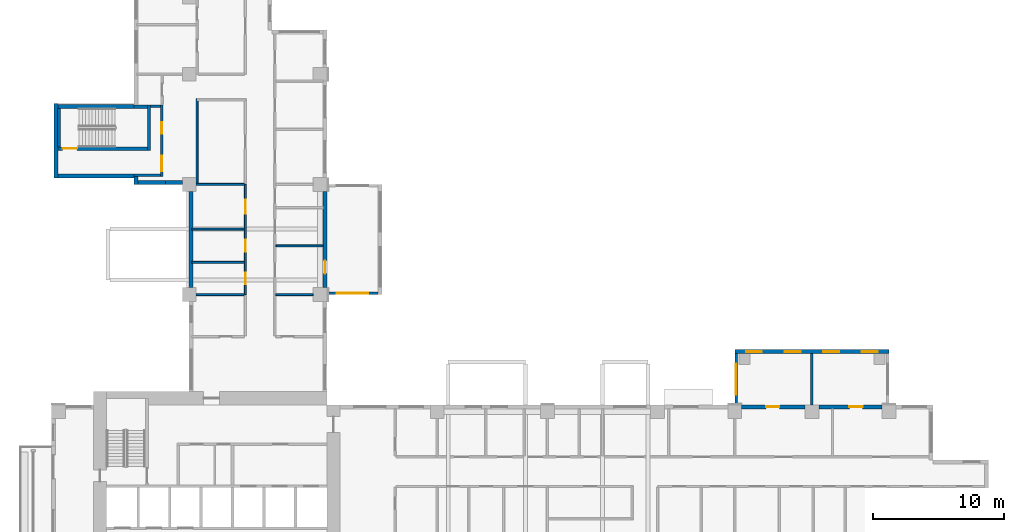
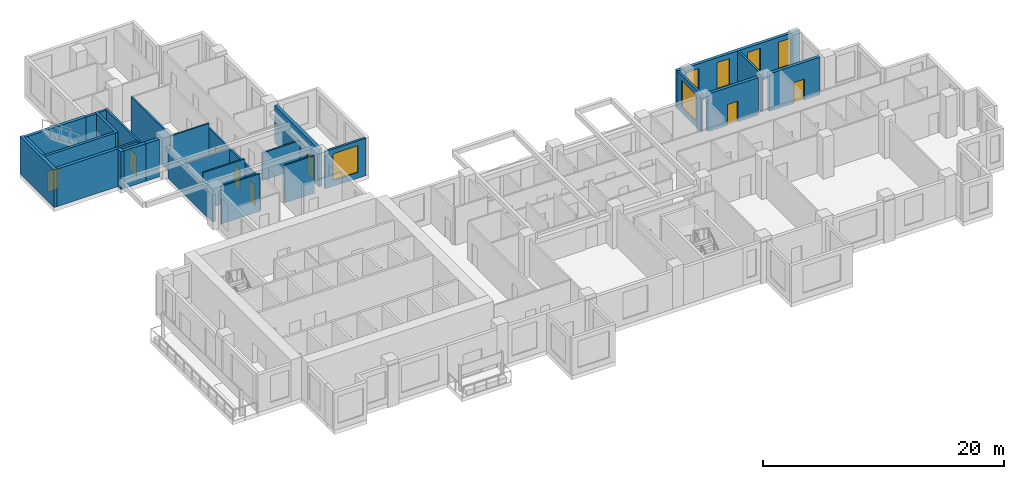
# One storey, part 6 of 14: 29 walls, 9 doors, 6 windows, 15 openings.
"""IFC4 building model written with IfcOpenShell, lengths in metres."""

from ifc_helpers import new_model, si_unit, direction, frame, frame_2d, origin, place, context, subcontext, project, spatial, rectangle, extrude, source, transform, mapped, material, layer, layer_set, type_object, element, fill, save


model = new_model("IFC4")

# Units and contexts
model_context = context("Model", 3, precision=1e-05, world=origin(), true_north=direction((0.0, 1.0)))
body_context = subcontext(model_context, "Body", "Model", "MODEL_VIEW")
ifc_project = project(units=[si_unit("LENGTHUNIT", "METRE"), si_unit("AREAUNIT", "SQUARE_METRE"), si_unit("VOLUMEUNIT", "CUBIC_METRE"), si_unit("PLANEANGLEUNIT", "RADIAN"), si_unit("MASSUNIT", "GRAM", prefix="KILO")], contexts=[model_context])

# Site, building, storey
site_placement = place(None, origin())
site = spatial("IfcSite", under=ifc_project, at=site_placement, CompositionType="ELEMENT")
building_placement = place(site_placement, origin())
building = spatial("IfcBuilding", under=site, at=building_placement, Name="Aurelian Terraces", CompositionType="ELEMENT")
storey_placement = place(building_placement, frame((0.0, 0.0, 132.9)))
storey = spatial("IfcBuildingStorey", under=building, at=storey_placement, Name="L29", CompositionType="ELEMENT", Elevation=132.9)

# Wall
ifc_material_1 = material(Name="Gypsum board on steel studs", Category="steel")
ifc_layer_1 = layer(ifc_material_1, 0.15)
ifc_layer_set_1 = layer_set([ifc_layer_1], Name="Partition 150")
wall_type_1 = type_object("IfcWallType", Name="Partition 150", PredefinedType="PARTITIONING", material=ifc_layer_set_1)
wall_1_placement = place(storey_placement, frame((14.7, 34.3912, 0.0), z_axis=(0.0, 0.0, 1.0), x_axis=(-1.0, 0.0, 0.0)))
element("IfcWall", 1, at=wall_1_placement, inside=storey, type_object=wall_type_1, Name="Partition", PredefinedType="PARTITIONING", context=body_context, shape_type="SweptSolid", body=[
    extrude(rectangle(XDim=3.995, YDim=0.15, at=frame_2d((1.9975, 0.0))), origin(), (0.0, 0.0, 1.0), 3.3),
])

# Wall, opening, window
ifc_material_2 = material(Name="Concrete fc' 40 MPa", Category="concrete")
ifc_layer_2 = layer(ifc_material_2, 0.2)
ifc_layer_set_2 = layer_set([ifc_layer_2], Name="BOX BEARING WALL 200")
wall_type_2 = type_object("IfcWallType", Name="BOX BEARING WALL 200", PredefinedType="SOLIDWALL", material=ifc_layer_set_2)
shared_shape_1 = source(origin(), body_context, "Body", "SweptSolid", [
    extrude(rectangle(XDim=3.9, YDim=0.2, at=frame_2d((1.95, 0.0))), origin(), (0.0, 0.0, 1.0), 3.79),
])
wall_2_placement = place(storey_placement, frame((52.18, 21.0, 0.0), z_axis=(0.0, 0.0, 1.0), x_axis=(0.0, 1.0, 0.0)))
wall_2 = element("IfcWall", 2, at=wall_2_placement, inside=storey, type_object=wall_type_2, Name="Box return L29 K02.2", PredefinedType="SOLIDWALL", context=body_context, shape_type="MappedRepresentation", body=[
    mapped(shared_shape_1, transform((0.0, 0.0, 0.0), scale=1.0)),
])
shared_shape_2 = source(origin(), body_context, "Body", "SweptSolid", [
    extrude(rectangle(XDim=2.4, YDim=2.7, at=frame_2d((1.2, 1.35))), frame((0.0, 0.11, 0.0), z_axis=(0.0, -1.0, 0.0), x_axis=(1.0, 0.0, 0.0)), (0.0, 0.0, 1.0), 0.22),
])
opening_1_placement = place(wall_2_placement, frame((0.75, 0.0, 0.6)))
opening_1 = element("IfcOpeningElement", 3, at=opening_1_placement, cuts=wall_2, Name="Opening W2427", PredefinedType="OPENING", context=body_context, shape_type="MappedRepresentation", body=[
    mapped(shared_shape_2, transform((0.0, 0.0, 0.0), scale=1.0)),
])
ifc_material_3 = material(Name="Clear glazing", Category="glass")
window_type_1 = type_object("IfcWindowType", Name="W-2400x2700", PartitioningType="SINGLE_PANEL", PredefinedType="WINDOW", material=ifc_material_3)
shared_shape_3 = source(origin(), body_context, "Body", "SweptSolid", [
    extrude(rectangle(XDim=2.4, YDim=2.7, at=frame_2d((1.2, 1.35))), frame((0.0, 0.03, 0.0), z_axis=(0.0, -1.0, 0.0), x_axis=(1.0, 0.0, 0.0)), (0.0, 0.0, 1.0), 0.06),
])
window_1_placement = place(opening_1_placement, origin())
window_1 = element("IfcWindow", 4, at=window_1_placement, inside=storey, type_object=window_type_1, Name="Window L29 K02-S2", OverallHeight=2.7, OverallWidth=2.4, PartitioningType="SINGLE_PANEL", PredefinedType="WINDOW", context=body_context, shape_type="MappedRepresentation", body=[
    mapped(shared_shape_3, transform((0.0, 0.0, 0.0), scale=1.0)),
])
fill(opening_1, window_1)

wall_3_placement = place(storey_placement, frame((21.0, 29.5, 0.0), z_axis=(0.0, 0.0, 1.0), x_axis=(1.0, 0.0, 0.0)))
wall_3 = element("IfcWall", 5, at=wall_3_placement, inside=storey, type_object=wall_type_2, Name="Box return L29 J41.1", PredefinedType="SOLIDWALL", context=body_context, shape_type="MappedRepresentation", body=[
    mapped(shared_shape_1, transform((0.0, 0.0, 0.0), scale=1.0)),
])
opening_2_placement = place(wall_3_placement, frame((0.75, 0.0, 0.6)))
opening_2 = element("IfcOpeningElement", 6, at=opening_2_placement, cuts=wall_3, Name="Opening W2427", PredefinedType="OPENING", context=body_context, shape_type="MappedRepresentation", body=[
    mapped(shared_shape_2, transform((0.0, 0.0, 0.0), scale=1.0)),
])
window_2_placement = place(opening_2_placement, origin())
window_2 = element("IfcWindow", 7, at=window_2_placement, inside=storey, type_object=window_type_1, Name="Window L29 J41-S1", OverallHeight=2.7, OverallWidth=2.4, PartitioningType="SINGLE_PANEL", PredefinedType="WINDOW", context=body_context, shape_type="MappedRepresentation", body=[
    mapped(shared_shape_3, transform((0.0, 0.0, 0.0), scale=1.0)),
])
fill(opening_2, window_2)

# Wall, openings, windows
ifc_layer_3 = layer(ifc_material_2, 0.3)
ifc_layer_set_3 = layer_set([ifc_layer_3], Name="BOX BEARING WALL 300")
wall_type_3 = type_object("IfcWallType", Name="BOX BEARING WALL 300", PredefinedType="SOLIDWALL", material=ifc_layer_set_3)
shared_shape_4 = source(origin(), body_context, "Body", "SweptSolid", [
    extrude(rectangle(XDim=11.76, YDim=0.3, at=frame_2d((5.88, 0.0))), origin(), (0.0, 0.0, 1.0), 3.79),
])
wall_4_placement = place(storey_placement, frame((63.84, 25.05, 0.0), z_axis=(0.0, 0.0, 1.0), x_axis=(-1.0, 0.0, 0.0)))
wall_4 = element("IfcWall", 8, at=wall_4_placement, inside=storey, type_object=wall_type_3, Name="Box wall L29 K02", PredefinedType="SOLIDWALL", context=body_context, shape_type="MappedRepresentation", body=[
    mapped(shared_shape_4, transform((0.0, 0.0, 0.0), scale=1.0)),
])
shared_shape_5 = source(origin(), body_context, "Body", "SweptSolid", [
    extrude(rectangle(XDim=1.2, YDim=2.7, at=frame_2d((0.6, 1.35))), frame((0.0, 0.16, 0.0), z_axis=(0.0, -1.0, 0.0), x_axis=(1.0, 0.0, 0.0)), (0.0, 0.0, 1.0), 0.32),
])
opening_3_placement = place(wall_4_placement, frame((0.87, 0.0, 0.6)))
opening_3 = element("IfcOpeningElement", 9, at=opening_3_placement, cuts=wall_4, Name="Opening W1227", PredefinedType="OPENING", context=body_context, shape_type="MappedRepresentation", body=[
    mapped(shared_shape_5, transform((0.0, 0.0, 0.0), scale=1.0)),
])
opening_4_placement = place(wall_4_placement, frame((3.81, 0.0, 0.6)))
opening_4 = element("IfcOpeningElement", 10, at=opening_4_placement, cuts=wall_4, Name="Opening W1227", PredefinedType="OPENING", context=body_context, shape_type="MappedRepresentation", body=[
    mapped(shared_shape_5, transform((0.0, 0.0, 0.0), scale=1.0)),
])
opening_5_placement = place(wall_4_placement, frame((6.75, 0.0, 0.6)))
opening_5 = element("IfcOpeningElement", 11, at=opening_5_placement, cuts=wall_4, Name="Opening W1227", PredefinedType="OPENING", context=body_context, shape_type="MappedRepresentation", body=[
    mapped(shared_shape_5, transform((0.0, 0.0, 0.0), scale=1.0)),
])
opening_6_placement = place(wall_4_placement, frame((9.69, 0.0, 0.6)))
opening_6 = element("IfcOpeningElement", 12, at=opening_6_placement, cuts=wall_4, Name="Opening W1227", PredefinedType="OPENING", context=body_context, shape_type="MappedRepresentation", body=[
    mapped(shared_shape_5, transform((0.0, 0.0, 0.0), scale=1.0)),
])
window_type_2 = type_object("IfcWindowType", Name="W-1200x2700", PartitioningType="SINGLE_PANEL", PredefinedType="WINDOW", material=ifc_material_3)
shared_shape_6 = source(origin(), body_context, "Body", "SweptSolid", [
    extrude(rectangle(XDim=1.2, YDim=2.7, at=frame_2d((0.6, 1.35))), frame((0.0, 0.03, 0.0), z_axis=(0.0, -1.0, 0.0), x_axis=(1.0, 0.0, 0.0)), (0.0, 0.0, 1.0), 0.06),
])
window_3_placement = place(opening_3_placement, origin())
window_3 = element("IfcWindow", 13, at=window_3_placement, inside=storey, type_object=window_type_2, Name="Window L29 K02-F1", OverallHeight=2.7, OverallWidth=1.2, PartitioningType="SINGLE_PANEL", PredefinedType="WINDOW", context=body_context, shape_type="MappedRepresentation", body=[
    mapped(shared_shape_6, transform((0.0, 0.0, 0.0), scale=1.0)),
])
fill(opening_3, window_3)
window_4_placement = place(opening_4_placement, origin())
window_4 = element("IfcWindow", 14, at=window_4_placement, inside=storey, type_object=window_type_2, Name="Window L29 K02-F2", OverallHeight=2.7, OverallWidth=1.2, PartitioningType="SINGLE_PANEL", PredefinedType="WINDOW", context=body_context, shape_type="MappedRepresentation", body=[
    mapped(shared_shape_6, transform((0.0, 0.0, 0.0), scale=1.0)),
])
fill(opening_4, window_4)
window_5_placement = place(opening_5_placement, origin())
window_5 = element("IfcWindow", 15, at=window_5_placement, inside=storey, type_object=window_type_2, Name="Window L29 K02-F3", OverallHeight=2.7, OverallWidth=1.2, PartitioningType="SINGLE_PANEL", PredefinedType="WINDOW", context=body_context, shape_type="MappedRepresentation", body=[
    mapped(shared_shape_6, transform((0.0, 0.0, 0.0), scale=1.0)),
])
fill(opening_5, window_5)
window_6_placement = place(opening_6_placement, origin())
window_6 = element("IfcWindow", 16, at=window_6_placement, inside=storey, type_object=window_type_2, Name="Window L29 K02-F4", OverallHeight=2.7, OverallWidth=1.2, PartitioningType="SINGLE_PANEL", PredefinedType="WINDOW", context=body_context, shape_type="MappedRepresentation", body=[
    mapped(shared_shape_6, transform((0.0, 0.0, 0.0), scale=1.0)),
])
fill(opening_6, window_6)

# Wall
shared_shape_7 = source(origin(), body_context, "Body", "SweptSolid", [
    extrude(rectangle(XDim=3.9, YDim=0.2, at=frame_2d((1.95, 0.0))), origin(), (0.0, 0.0, 1.0), 3.79),
])
wall_5_placement = place(storey_placement, frame((57.96, 21.0, 0.0), z_axis=(0.0, 0.0, 1.0), x_axis=(0.0, 1.0, 0.0)))
element("IfcWall", 17, at=wall_5_placement, inside=storey, type_object=wall_type_2, Name="Box partition L29 K02", PredefinedType="SOLIDWALL", context=body_context, shape_type="MappedRepresentation", body=[
    mapped(shared_shape_7, transform((0.0, 0.0, 0.0), scale=1.0)),
])

# Wall, opening, door
ifc_material_4 = material(Name="Terracotta rainscreen cladding", Category="masonry")
ifc_layer_4 = layer(ifc_material_4, 0.3)
ifc_layer_set_4 = layer_set([ifc_layer_4], Name="EW-300")
wall_type_4 = type_object("IfcWallType", Name="EW-300", PredefinedType="STANDARD", material=ifc_layer_set_4)
shared_shape_8 = source(origin(), body_context, "Body", "SweptSolid", [
    extrude(rectangle(XDim=7.35, YDim=0.3, at=frame_2d((3.675, 0.0))), origin(), (0.0, 0.0, 1.0), 3.8),
])
wall_6_placement = place(storey_placement, frame((20.85, 29.925, 0.0), z_axis=(0.0, 0.0, 1.0), x_axis=(0.0, 1.0, 0.0)))
wall_6 = element("IfcWall", 18, at=wall_6_placement, inside=storey, type_object=wall_type_4, Name="External wall L29 F08.23", PredefinedType="STANDARD", context=body_context, shape_type="MappedRepresentation", body=[
    mapped(shared_shape_8, transform((0.0, 0.0, 0.0), scale=1.0)),
])
shared_shape_9 = source(origin(), body_context, "Body", "SweptSolid", [
    extrude(rectangle(XDim=1.0, YDim=2.1, at=frame_2d((0.5, 1.05))), frame((0.0, 0.16, 0.0), z_axis=(0.0, -1.0, 0.0), x_axis=(1.0, 0.0, 0.0)), (0.0, 0.0, 1.0), 0.32),
])
opening_7_placement = place(wall_6_placement, frame((1.075, 0.0, 0.0)))
opening_7 = element("IfcOpeningElement", 19, at=opening_7_placement, cuts=wall_6, Name="Opening 829003", PredefinedType="OPENING", context=body_context, shape_type="MappedRepresentation", body=[
    mapped(shared_shape_9, transform((0.0, 0.0, 0.0), scale=1.0)),
])
ifc_material_5 = material(Name="Timber door leaf", Category="wood")
door_type_1 = type_object("IfcDoorType", Name="Room door 1000x2100 left", OperationType="SINGLE_SWING_LEFT", PredefinedType="DOOR", material=ifc_material_5)
shared_shape_10 = source(origin(), body_context, "Body", "SweptSolid", [
    extrude(rectangle(XDim=1.0, YDim=2.1, at=frame_2d((0.5, 1.05))), frame((0.0, 0.025, 0.0), z_axis=(0.0, -1.0, 0.0), x_axis=(1.0, 0.0, 0.0)), (0.0, 0.0, 1.0), 0.05),
])
door_1_placement = place(opening_7_placement, origin())
door_1 = element("IfcDoor", 20, at=door_1_placement, inside=storey, type_object=door_type_1, Name="Door 829003", OperationType="SINGLE_SWING_LEFT", OverallHeight=2.1, OverallWidth=1.0, PredefinedType="DOOR", context=body_context, shape_type="MappedRepresentation", body=[
    mapped(shared_shape_10, transform((0.0, 0.0, 0.0), scale=1.0)),
])
fill(opening_7, door_1)

# Walls
ifc_layer_5 = layer(ifc_material_2, 0.3)
ifc_layer_set_5 = layer_set([ifc_layer_5], Name="STAIR BAY WALL 300")
wall_type_5 = type_object("IfcWallType", Name="STAIR BAY WALL 300", PredefinedType="SOLIDWALL", material=ifc_layer_set_5)
shared_shape_11 = source(origin(), body_context, "Body", "SweptSolid", [
    extrude(rectangle(XDim=6.1, YDim=0.3, at=frame_2d((3.05, 0.0))), origin(), (0.0, 0.0, 1.0), 3.8),
])
for number, where, z_axis, x_axis, name in (
    (21, (6.3, 43.75, 0.0), (0.0, 0.0, 1.0), (-1.0, 0.0, 0.0), "Stair bay wall L29 F13.31"),
    (22, (0.2, 38.45, 0.0), (0.0, 0.0, 1.0), (1.0, 0.0, 0.0), "Stair bay wall L29 F15.33"),
):
    element("IfcWall", number, at=place(storey_placement, frame(where, z_axis=z_axis, x_axis=x_axis)), inside=storey, type_object=wall_type_5, Name=name, PredefinedType="SOLIDWALL", context=body_context, shape_type="MappedRepresentation", body=[
        mapped(shared_shape_11, transform((0.0, 0.0, 0.0), scale=1.0)),
    ])

# Wall, opening, door
shared_shape_12 = source(origin(), body_context, "Body", "SweptSolid", [
    extrude(rectangle(XDim=4.83, YDim=0.3, at=frame_2d((2.415, 0.0))), origin(), (0.0, 0.0, 1.0), 3.8),
])
wall_7_placement = place(storey_placement, frame((63.315, 20.85, 0.0), z_axis=(0.0, 0.0, 1.0), x_axis=(-1.0, 0.0, 0.0)))
wall_7 = element("IfcWall", 23, at=wall_7_placement, inside=storey, type_object=wall_type_4, Name="External wall L29 F07.20", PredefinedType="STANDARD", context=body_context, shape_type="MappedRepresentation", body=[
    mapped(shared_shape_12, transform((0.0, 0.0, 0.0), scale=1.0)),
])
opening_8_placement = place(wall_7_placement, frame((1.495, 0.0, 0.0)))
opening_8 = element("IfcOpeningElement", 24, at=opening_8_placement, cuts=wall_7, Name="Opening 829004", PredefinedType="OPENING", context=body_context, shape_type="MappedRepresentation", body=[
    mapped(shared_shape_9, transform((0.0, 0.0, 0.0), scale=1.0)),
])
door_2_placement = place(opening_8_placement, origin())
door_2 = element("IfcDoor", 25, at=door_2_placement, inside=storey, type_object=door_type_1, Name="Door 829004", OperationType="SINGLE_SWING_LEFT", OverallHeight=2.1, OverallWidth=1.0, PredefinedType="DOOR", context=body_context, shape_type="MappedRepresentation", body=[
    mapped(shared_shape_10, transform((0.0, 0.0, 0.0), scale=1.0)),
])
fill(opening_8, door_2)

wall_8_placement = place(storey_placement, frame((57.435, 20.85, 0.0), z_axis=(0.0, 0.0, 1.0), x_axis=(-1.0, 0.0, 0.0)))
wall_8 = element("IfcWall", 26, at=wall_8_placement, inside=storey, type_object=wall_type_4, Name="External wall L29 F07.20", PredefinedType="STANDARD", context=body_context, shape_type="MappedRepresentation", body=[
    mapped(shared_shape_12, transform((0.0, 0.0, 0.0), scale=1.0)),
])
opening_9_placement = place(wall_8_placement, frame((1.9617, 0.0, 0.0)))
opening_9 = element("IfcOpeningElement", 27, at=opening_9_placement, cuts=wall_8, Name="Opening 829005", PredefinedType="OPENING", context=body_context, shape_type="MappedRepresentation", body=[
    mapped(shared_shape_9, transform((0.0, 0.0, 0.0), scale=1.0)),
])
door_3_placement = place(opening_9_placement, origin())
door_3 = element("IfcDoor", 28, at=door_3_placement, inside=storey, type_object=door_type_1, Name="Door 829005", OperationType="SINGLE_SWING_LEFT", OverallHeight=2.1, OverallWidth=1.0, PredefinedType="DOOR", context=body_context, shape_type="MappedRepresentation", body=[
    mapped(shared_shape_10, transform((0.0, 0.0, 0.0), scale=1.0)),
])
fill(opening_9, door_3)

# Walls
shared_shape_13 = source(origin(), body_context, "Body", "SweptSolid", [
    extrude(rectangle(XDim=5.65, YDim=0.3, at=frame_2d((2.825, 0.0))), origin(), (0.0, 0.0, 1.0), 3.8),
])
wall_9_placement = place(storey_placement, frame((0.35, 43.95, 0.0), z_axis=(0.0, 0.0, 1.0), x_axis=(0.0, -1.0, 0.0)))
element("IfcWall", 29, at=wall_9_placement, inside=storey, type_object=wall_type_5, Name="Stair bay wall L29 F14.32", PredefinedType="SOLIDWALL", context=body_context, shape_type="MappedRepresentation", body=[
    mapped(shared_shape_13, transform((0.0, 0.0, 0.0), scale=1.0)),
])
shared_shape_14 = source(origin(), body_context, "Body", "SweptSolid", [
    extrude(rectangle(XDim=0.6, YDim=0.3, at=frame_2d((0.3, 0.0))), origin(), (0.0, 0.0, 1.0), 3.8),
])
wall_10_placement = place(storey_placement, frame((6.45, 38.4, 0.0), z_axis=(0.0, 0.0, 1.0), x_axis=(0.0, -1.0, 0.0)))
element("IfcWall", 30, at=wall_10_placement, inside=storey, type_object=wall_type_4, Name="External wall L29 F16.34", PredefinedType="STANDARD", context=body_context, shape_type="MappedRepresentation", body=[
    mapped(shared_shape_14, transform((0.0, 0.0, 0.0), scale=1.0)),
])
shared_shape_15 = source(origin(), body_context, "Body", "SweptSolid", [
    extrude(rectangle(XDim=2.1, YDim=0.3, at=frame_2d((1.05, 0.0))), origin(), (0.0, 0.0, 1.0), 3.8),
])
wall_11_placement = place(storey_placement, frame((6.6, 37.95, 0.0), z_axis=(0.0, 0.0, 1.0), x_axis=(1.0, 0.0, 0.0)))
element("IfcWall", 31, at=wall_11_placement, inside=storey, type_object=wall_type_5, Name="Stair bay wall L29 F17.35", PredefinedType="SOLIDWALL", context=body_context, shape_type="MappedRepresentation", body=[
    mapped(shared_shape_15, transform((0.0, 0.0, 0.0), scale=1.0)),
])
shared_shape_16 = source(origin(), body_context, "Body", "SweptSolid", [
    extrude(rectangle(XDim=1.275, YDim=0.3, at=frame_2d((0.6375, 0.0))), origin(), (0.0, 0.0, 1.0), 3.8),
])
wall_12_placement = place(storey_placement, frame((8.7, 37.95, 0.0), z_axis=(0.0, 0.0, 1.0), x_axis=(1.0, 0.0, 0.0)))
element("IfcWall", 32, at=wall_12_placement, inside=storey, type_object=wall_type_4, Name="External wall L29 F17.35", PredefinedType="STANDARD", context=body_context, shape_type="MappedRepresentation", body=[
    mapped(shared_shape_16, transform((0.0, 0.0, 0.0), scale=1.0)),
])
shared_shape_17 = source(origin(), body_context, "Body", "SweptSolid", [
    extrude(rectangle(XDim=7.35, YDim=0.3, at=frame_2d((3.675, 0.0))), origin(), (0.0, 0.0, 1.0), 2.8),
])
wall_13_placement = place(storey_placement, frame((10.65, 37.275, 0.0), z_axis=(0.0, 0.0, 1.0), x_axis=(0.0, -1.0, 0.0)))
element("IfcWall", 33, at=wall_13_placement, inside=storey, type_object=wall_type_4, Name="External wall L29 F18.36", PredefinedType="STANDARD", context=body_context, shape_type="MappedRepresentation", body=[
    mapped(shared_shape_17, transform((0.0, 0.0, 0.0), scale=1.0)),
])

# Wall, opening, door
ifc_layer_6 = layer(ifc_material_2, 0.25)
ifc_layer_set_6 = layer_set([ifc_layer_6], Name="Stair enclosure wall 250")
wall_type_6 = type_object("IfcWallType", Name="Stair enclosure wall 250", PredefinedType="SOLIDWALL", material=ifc_layer_set_6)
shared_shape_18 = source(origin(), body_context, "Body", "SweptSolid", [
    extrude(rectangle(XDim=7.0, YDim=0.25, at=frame_2d((3.5, 0.0))), origin(), (0.0, 0.0, 1.0), 3.8),
])
wall_14_placement = place(storey_placement, frame((0.3, 40.525, 0.0), z_axis=(0.0, 0.0, 1.0), x_axis=(1.0, 0.0, 0.0)))
wall_14 = element("IfcWall", 34, at=wall_14_placement, inside=storey, type_object=wall_type_6, Name="L29 core wall ST-S3-W", PredefinedType="SOLIDWALL", context=body_context, shape_type="MappedRepresentation", body=[
    mapped(shared_shape_18, transform((0.0, 0.0, 0.0), scale=1.0)),
])
shared_shape_19 = source(origin(), body_context, "Body", "SweptSolid", [
    extrude(rectangle(XDim=1.1, YDim=2.1, at=frame_2d((0.55, 1.05))), frame((0.0, 0.135, 0.0), z_axis=(0.0, -1.0, 0.0), x_axis=(1.0, 0.0, 0.0)), (0.0, 0.0, 1.0), 0.27),
])
opening_10_placement = place(wall_14_placement, frame((0.55, 0.0, 0.0)))
opening_10 = element("IfcOpeningElement", 35, at=opening_10_placement, cuts=wall_14, Name="Opening 63217", PredefinedType="OPENING", context=body_context, shape_type="MappedRepresentation", body=[
    mapped(shared_shape_19, transform((0.0, 0.0, 0.0), scale=1.0)),
])
ifc_material_6 = material(Name="Steel door leaf", Category="steel")
door_type_2 = type_object("IfcDoorType", Name="Core fire door 1100x2100 right", OperationType="SINGLE_SWING_RIGHT", PredefinedType="DOOR", material=ifc_material_6)
shared_shape_20 = source(origin(), body_context, "Body", "SweptSolid", [
    extrude(rectangle(XDim=1.1, YDim=2.1, at=frame_2d((0.55, 1.05))), frame((0.0, 0.025, 0.0), z_axis=(0.0, -1.0, 0.0), x_axis=(1.0, 0.0, 0.0)), (0.0, 0.0, 1.0), 0.05),
])
door_4_placement = place(opening_10_placement, origin())
door_4 = element("IfcDoor", 36, at=door_4_placement, inside=storey, type_object=door_type_2, Name="Stair door 63217", OperationType="SINGLE_SWING_RIGHT", OverallHeight=2.1, OverallWidth=1.1, PredefinedType="DOOR", context=body_context, shape_type="MappedRepresentation", body=[
    mapped(shared_shape_20, transform((0.0, 0.0, 0.0), scale=1.0)),
])
fill(opening_10, door_4)

# Walls
shared_shape_21 = source(origin(), body_context, "Body", "SweptSolid", [
    extrude(rectangle(XDim=3.45, YDim=0.25, at=frame_2d((1.725, 0.0))), origin(), (0.0, 0.0, 1.0), 3.8),
])
wall_15_placement = place(storey_placement, frame((7.425, 40.4, 0.0), z_axis=(0.0, 0.0, 1.0), x_axis=(0.0, 1.0, 0.0)))
element("IfcWall", 37, at=wall_15_placement, inside=storey, type_object=wall_type_6, Name="L29 core wall ST-S3-N", PredefinedType="SOLIDWALL", context=body_context, shape_type="MappedRepresentation", body=[
    mapped(shared_shape_21, transform((0.0, 0.0, 0.0), scale=1.0)),
])
shared_shape_22 = source(origin(), body_context, "Body", "SweptSolid", [
    extrude(rectangle(XDim=2.95, YDim=0.25, at=frame_2d((1.475, 0.0))), origin(), (0.0, 0.0, 1.0), 3.8),
])
wall_16_placement = place(storey_placement, frame((0.575, 40.65, 0.0), z_axis=(0.0, 0.0, 1.0), x_axis=(0.0, 1.0, 0.0)))
element("IfcWall", 38, at=wall_16_placement, inside=storey, type_object=wall_type_6, Name="L29 core wall ST-S3-SS", PredefinedType="SOLIDWALL", context=body_context, shape_type="MappedRepresentation", body=[
    mapped(shared_shape_22, transform((0.0, 0.0, 0.0), scale=1.0)),
])

# Wall, openings, doors
ifc_layer_7 = layer(ifc_material_1, 0.2)
ifc_layer_set_7 = layer_set([ifc_layer_7], Name="Core partition 200")
wall_type_7 = type_object("IfcWallType", Name="Core partition 200", PredefinedType="PARTITIONING", material=ifc_layer_set_7)
shared_shape_23 = source(origin(), body_context, "Body", "SweptSolid", [
    extrude(rectangle(XDim=5.45, YDim=0.2, at=frame_2d((2.725, 0.0))), origin(), (0.0, 0.0, 1.0), 3.8),
])
wall_17_placement = place(storey_placement, frame((8.4, 38.4, 0.0), z_axis=(0.0, 0.0, 1.0), x_axis=(0.0, 1.0, 0.0)))
wall_17 = element("IfcWall", 39, at=wall_17_placement, inside=storey, type_object=wall_type_7, Name="L29 core wall ST-S3-BN", PredefinedType="PARTITIONING", context=body_context, shape_type="MappedRepresentation", body=[
    mapped(shared_shape_23, transform((0.0, 0.0, 0.0), scale=1.0)),
])
shared_shape_24 = source(origin(), body_context, "Body", "SweptSolid", [
    extrude(rectangle(XDim=1.2, YDim=2.1, at=frame_2d((0.6, 1.05))), frame((0.0, 0.11, 0.0), z_axis=(0.0, -1.0, 0.0), x_axis=(1.0, 0.0, 0.0)), (0.0, 0.0, 1.0), 0.22),
])
opening_11_placement = place(wall_17_placement, frame((0.4, 0.0, 0.0)))
opening_11 = element("IfcOpeningElement", 40, at=opening_11_placement, cuts=wall_17, Name="Opening 63218", PredefinedType="OPENING", context=body_context, shape_type="MappedRepresentation", body=[
    mapped(shared_shape_24, transform((0.0, 0.0, 0.0), scale=1.0)),
])
shared_shape_25 = source(origin(), body_context, "Body", "SweptSolid", [
    extrude(rectangle(XDim=0.9, YDim=2.1, at=frame_2d((0.45, 1.05))), frame((0.0, 0.11, 0.0), z_axis=(0.0, -1.0, 0.0), x_axis=(1.0, 0.0, 0.0)), (0.0, 0.0, 1.0), 0.22),
])
opening_12_placement = place(wall_17_placement, frame((3.25, 0.0, 0.0)))
opening_12 = element("IfcOpeningElement", 41, at=opening_12_placement, cuts=wall_17, Name="Opening 63219", PredefinedType="OPENING", context=body_context, shape_type="MappedRepresentation", body=[
    mapped(shared_shape_25, transform((0.0, 0.0, 0.0), scale=1.0)),
])
door_type_3 = type_object("IfcDoorType", Name="Core riser door 900x2100 right", OperationType="SINGLE_SWING_RIGHT", PredefinedType="DOOR", material=ifc_material_6)
shared_shape_26 = source(origin(), body_context, "Body", "SweptSolid", [
    extrude(rectangle(XDim=0.9, YDim=2.1, at=frame_2d((0.45, 1.05))), frame((0.0, 0.025, 0.0), z_axis=(0.0, -1.0, 0.0), x_axis=(1.0, 0.0, 0.0)), (0.0, 0.0, 1.0), 0.05),
])
door_5_placement = place(opening_12_placement, origin())
door_5 = element("IfcDoor", 42, at=door_5_placement, inside=storey, type_object=door_type_3, Name="Riser door 63219", OperationType="SINGLE_SWING_RIGHT", OverallHeight=2.1, OverallWidth=0.9, PredefinedType="DOOR", context=body_context, shape_type="MappedRepresentation", body=[
    mapped(shared_shape_26, transform((0.0, 0.0, 0.0), scale=1.0)),
])
fill(opening_12, door_5)
door_type_4 = type_object("IfcDoorType", Name="Core fire door 1200x2100", OperationType="SINGLE_SWING_LEFT", PredefinedType="DOOR", material=ifc_material_6)
shared_shape_27 = source(origin(), body_context, "Body", "SweptSolid", [
    extrude(rectangle(XDim=1.2, YDim=2.1, at=frame_2d((0.6, 1.05))), frame((0.0, 0.025, 0.0), z_axis=(0.0, -1.0, 0.0), x_axis=(1.0, 0.0, 0.0)), (0.0, 0.0, 1.0), 0.05),
])
door_6_placement = place(opening_11_placement, origin())
door_6 = element("IfcDoor", 43, at=door_6_placement, inside=storey, type_object=door_type_4, Name="Vestibule door 63218", OperationType="SINGLE_SWING_LEFT", OverallHeight=2.1, OverallWidth=1.2, PredefinedType="DOOR", context=body_context, shape_type="MappedRepresentation", body=[
    mapped(shared_shape_27, transform((0.0, 0.0, 0.0), scale=1.0)),
])
fill(opening_11, door_6)

# Walls
shared_shape_28 = source(origin(), body_context, "Body", "SweptSolid", [
    extrude(rectangle(XDim=0.75, YDim=0.2, at=frame_2d((0.375, 0.0))), origin(), (0.0, 0.0, 1.0), 3.8),
])
wall_18_placement = place(storey_placement, frame((7.55, 43.75, 0.0), z_axis=(0.0, 0.0, 1.0), x_axis=(1.0, 0.0, 0.0)))
element("IfcWall", 44, at=wall_18_placement, inside=storey, type_object=wall_type_7, Name="L29 core wall ST-S3-RE", PredefinedType="PARTITIONING", context=body_context, shape_type="MappedRepresentation", body=[
    mapped(shared_shape_28, transform((0.0, 0.0, 0.0), scale=1.0)),
])
shared_shape_29 = source(origin(), body_context, "Body", "SweptSolid", [
    extrude(rectangle(XDim=1.0, YDim=0.25, at=frame_2d((0.5, 0.0))), origin(), (0.0, 0.0, 1.0), 3.8),
])
wall_19_placement = place(storey_placement, frame((6.3, 43.725, 0.0), z_axis=(0.0, 0.0, 1.0), x_axis=(1.0, 0.0, 0.0)))
element("IfcWall", 45, at=wall_19_placement, inside=storey, type_object=wall_type_6, Name="L29 core wall ST-S3-E", PredefinedType="SOLIDWALL", context=body_context, shape_type="MappedRepresentation", body=[
    mapped(shared_shape_29, transform((0.0, 0.0, 0.0), scale=1.0)),
])
shared_shape_30 = source(origin(), body_context, "Body", "SweptSolid", [
    extrude(rectangle(XDim=2.0, YDim=0.2, at=frame_2d((1.0, 0.0))), origin(), (0.0, 0.0, 1.0), 3.8),
])
wall_20_placement = place(storey_placement, frame((6.3, 38.5, 0.0), z_axis=(0.0, 0.0, 1.0), x_axis=(1.0, 0.0, 0.0)))
element("IfcWall", 46, at=wall_20_placement, inside=storey, type_object=wall_type_7, Name="L29 core wall ST-S3-VW", PredefinedType="PARTITIONING", context=body_context, shape_type="MappedRepresentation", body=[
    mapped(shared_shape_30, transform((0.0, 0.0, 0.0), scale=1.0)),
])
shared_shape_31 = source(origin(), body_context, "Body", "SweptSolid", [
    extrude(rectangle(XDim=6.45, YDim=0.15, at=frame_2d((3.225, 0.0))), origin(), (0.0, 0.0, 1.0), 3.8),
])
wall_21_placement = place(storey_placement, frame((11.1, 44.325, 0.0), z_axis=(0.0, 0.0, 1.0), x_axis=(0.0, -1.0, 0.0)))
element("IfcWall", 47, at=wall_21_placement, inside=storey, type_object=wall_type_1, Name="Partition", PredefinedType="PARTITIONING", context=body_context, shape_type="MappedRepresentation", body=[
    mapped(shared_shape_31, transform((0.0, 0.0, 0.0), scale=1.0)),
])
shared_shape_32 = source(origin(), body_context, "Body", "SweptSolid", [
    extrude(rectangle(XDim=3.6, YDim=0.15, at=frame_2d((1.8, 0.0))), origin(), (0.0, 0.0, 1.0), 2.8),
])
wall_22_placement = place(storey_placement, frame((17.1, 33.1133, 0.0), z_axis=(0.0, 0.0, 1.0), x_axis=(1.0, 0.0, 0.0)))
element("IfcWall", 48, at=wall_22_placement, inside=storey, type_object=wall_type_1, Name="Partition", PredefinedType="PARTITIONING", context=body_context, shape_type="MappedRepresentation", body=[
    mapped(shared_shape_32, transform((0.0, 0.0, 0.0), scale=1.0)),
])

# Wall, openings, doors
ifc_layer_8 = layer(ifc_material_1, 0.15)
ifc_layer_set_8 = layer_set([ifc_layer_8], Name="Fire partition 150")
wall_type_8 = type_object("IfcWallType", Name="Fire partition 150", PredefinedType="PARTITIONING", material=ifc_layer_set_8)
shared_shape_33 = source(origin(), body_context, "Body", "SweptSolid", [
    extrude(rectangle(XDim=8.4, YDim=0.15, at=frame_2d((4.2, 0.0))), origin(), (0.0, 0.0, 1.0), 3.3),
])
wall_23_placement = place(storey_placement, frame((14.775, 29.4, 0.0), z_axis=(0.0, 0.0, 1.0), x_axis=(0.0, 1.0, 0.0)))
wall_23 = element("IfcWall", 49, at=wall_23_placement, inside=storey, type_object=wall_type_8, Name="Corridor wall", PredefinedType="PARTITIONING", context=body_context, shape_type="MappedRepresentation", body=[
    mapped(shared_shape_33, transform((0.0, 0.0, 0.0), scale=1.0)),
])
shared_shape_34 = source(origin(), body_context, "Body", "SweptSolid", [
    extrude(rectangle(XDim=1.1, YDim=2.1, at=frame_2d((0.55, 1.05))), frame((0.0, 0.085, 0.0), z_axis=(0.0, -1.0, 0.0), x_axis=(1.0, 0.0, 0.0)), (0.0, 0.0, 1.0), 0.17),
])
opening_13_placement = place(wall_23_placement, frame((6.1456, 0.0, 0.0)))
opening_13 = element("IfcOpeningElement", 50, at=opening_13_placement, cuts=wall_23, Name="Opening 729036", PredefinedType="OPENING", context=body_context, shape_type="MappedRepresentation", body=[
    mapped(shared_shape_34, transform((0.0, 0.0, 0.0), scale=1.0)),
])
shared_shape_35 = source(origin(), body_context, "Body", "SweptSolid", [
    extrude(rectangle(XDim=0.9, YDim=2.1, at=frame_2d((0.45, 1.05))), frame((0.0, 0.085, 0.0), z_axis=(0.0, -1.0, 0.0), x_axis=(1.0, 0.0, 0.0)), (0.0, 0.0, 1.0), 0.17),
])
opening_14_placement = place(wall_23_placement, frame((0.7806, 0.0, 0.0)))
opening_14 = element("IfcOpeningElement", 51, at=opening_14_placement, cuts=wall_23, Name="Opening 729037", PredefinedType="OPENING", context=body_context, shape_type="MappedRepresentation", body=[
    mapped(shared_shape_35, transform((0.0, 0.0, 0.0), scale=1.0)),
])
opening_15_placement = place(wall_23_placement, frame((3.2762, 0.0, 0.0)))
opening_15 = element("IfcOpeningElement", 52, at=opening_15_placement, cuts=wall_23, Name="Opening 729038", PredefinedType="OPENING", context=body_context, shape_type="MappedRepresentation", body=[
    mapped(shared_shape_35, transform((0.0, 0.0, 0.0), scale=1.0)),
])
door_type_5 = type_object("IfcDoorType", Name="Room door 900x2100 right", OperationType="SINGLE_SWING_RIGHT", PredefinedType="DOOR", material=ifc_material_5)
door_7_placement = place(opening_14_placement, origin())
door_7 = element("IfcDoor", 53, at=door_7_placement, inside=storey, type_object=door_type_5, Name="Door 729037", OperationType="SINGLE_SWING_RIGHT", OverallHeight=2.1, OverallWidth=0.9, PredefinedType="DOOR", context=body_context, shape_type="MappedRepresentation", body=[
    mapped(shared_shape_26, transform((0.0, 0.0, 0.0), scale=1.0)),
])
fill(opening_14, door_7)
door_type_6 = type_object("IfcDoorType", Name="Room door 900x2100 left", OperationType="SINGLE_SWING_LEFT", PredefinedType="DOOR", material=ifc_material_5)
door_8_placement = place(opening_15_placement, origin())
door_8 = element("IfcDoor", 54, at=door_8_placement, inside=storey, type_object=door_type_6, Name="Door 729038", OperationType="SINGLE_SWING_LEFT", OverallHeight=2.1, OverallWidth=0.9, PredefinedType="DOOR", context=body_context, shape_type="MappedRepresentation", body=[
    mapped(shared_shape_26, transform((0.0, 0.0, 0.0), scale=1.0)),
])
fill(opening_15, door_8)
door_type_7 = type_object("IfcDoorType", Name="Room door 1100x2100 right", OperationType="SINGLE_SWING_RIGHT", PredefinedType="DOOR", material=ifc_material_5)
door_9_placement = place(opening_13_placement, origin())
door_9 = element("IfcDoor", 55, at=door_9_placement, inside=storey, type_object=door_type_7, Name="Door 729036", OperationType="SINGLE_SWING_RIGHT", OverallHeight=2.1, OverallWidth=1.1, PredefinedType="DOOR", context=body_context, shape_type="MappedRepresentation", body=[
    mapped(shared_shape_20, transform((0.0, 0.0, 0.0), scale=1.0)),
])
fill(opening_13, door_9)

# Walls
shared_shape_36 = source(origin(), body_context, "Body", "SweptSolid", [
    extrude(rectangle(XDim=3.995, YDim=0.15, at=frame_2d((1.9975, 0.0))), origin(), (0.0, 0.0, 1.0), 3.8),
])
wall_24_placement = place(storey_placement, frame((14.7, 31.8612, 0.0), z_axis=(0.0, 0.0, 1.0), x_axis=(-1.0, 0.0, 0.0)))
element("IfcWall", 56, at=wall_24_placement, inside=storey, type_object=wall_type_1, Name="Partition", PredefinedType="PARTITIONING", context=body_context, shape_type="MappedRepresentation", body=[
    mapped(shared_shape_36, transform((0.0, 0.0, 0.0), scale=1.0)),
])
shared_shape_37 = source(origin(), body_context, "Body", "SweptSolid", [
    extrude(rectangle(XDim=2.851, YDim=0.15, at=frame_2d((1.4255, 0.0))), origin(), (0.0, 0.0, 1.0), 3.8),
])
wall_25_placement = place(storey_placement, frame((19.951, 29.4, 0.0), z_axis=(0.0, 0.0, 1.0), x_axis=(-1.0, 0.0, 0.0)))
element("IfcWall", 57, at=wall_25_placement, inside=storey, type_object=wall_type_1, Name="Partition", PredefinedType="PARTITIONING", context=body_context, shape_type="MappedRepresentation", body=[
    mapped(shared_shape_37, transform((0.0, 0.0, 0.0), scale=1.0)),
])
shared_shape_38 = source(origin(), body_context, "Body", "SweptSolid", [
    extrude(rectangle(XDim=3.676, YDim=0.15, at=frame_2d((1.838, 0.0))), origin(), (0.0, 0.0, 1.0), 3.8),
])
for number, where, z_axis, x_axis, name in (
    (58, (14.7, 29.4, 0.0), (0.0, 0.0, 1.0), (-1.0, 0.0, 0.0), "Partition"),
    (59, (14.7, 37.8, 0.0), (0.0, 0.0, 1.0), (-1.0, 0.0, 0.0), "Partition"),
):
    element("IfcWall", number, at=place(storey_placement, frame(where, z_axis=z_axis, x_axis=x_axis)), inside=storey, type_object=wall_type_1, Name=name, PredefinedType="PARTITIONING", context=body_context, shape_type="MappedRepresentation", body=[
        mapped(shared_shape_38, transform((0.0, 0.0, 0.0), scale=1.0)),
    ])

save(model, "model.ifc")
